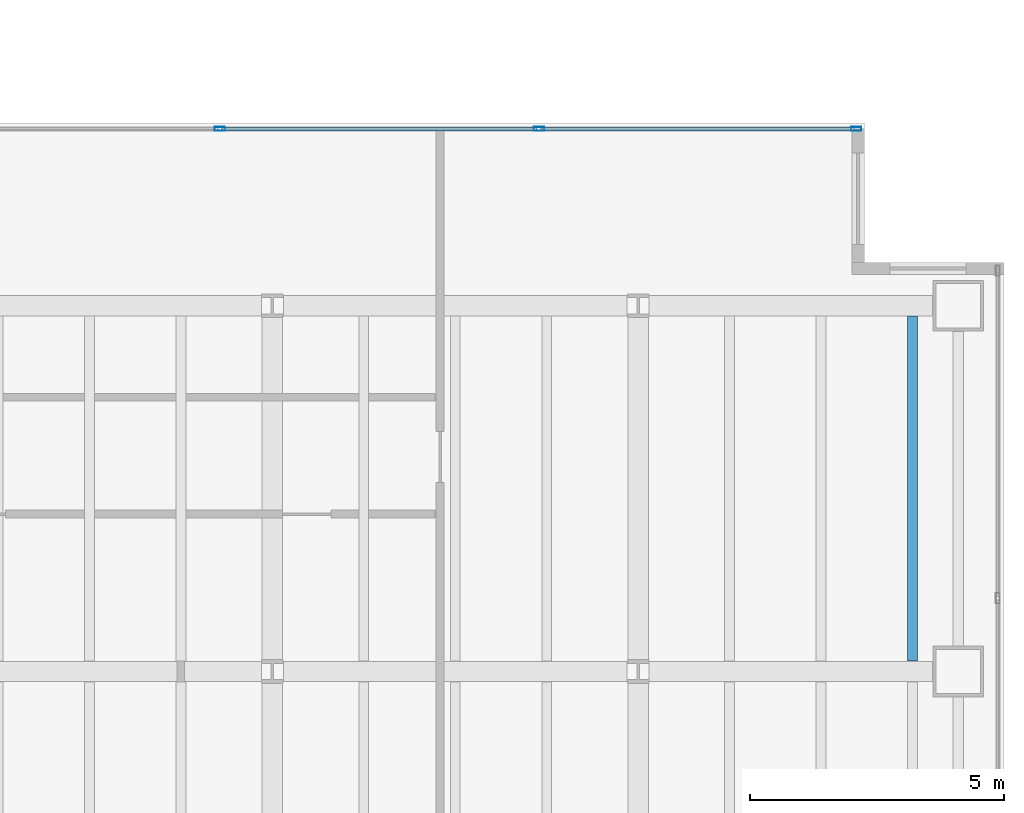
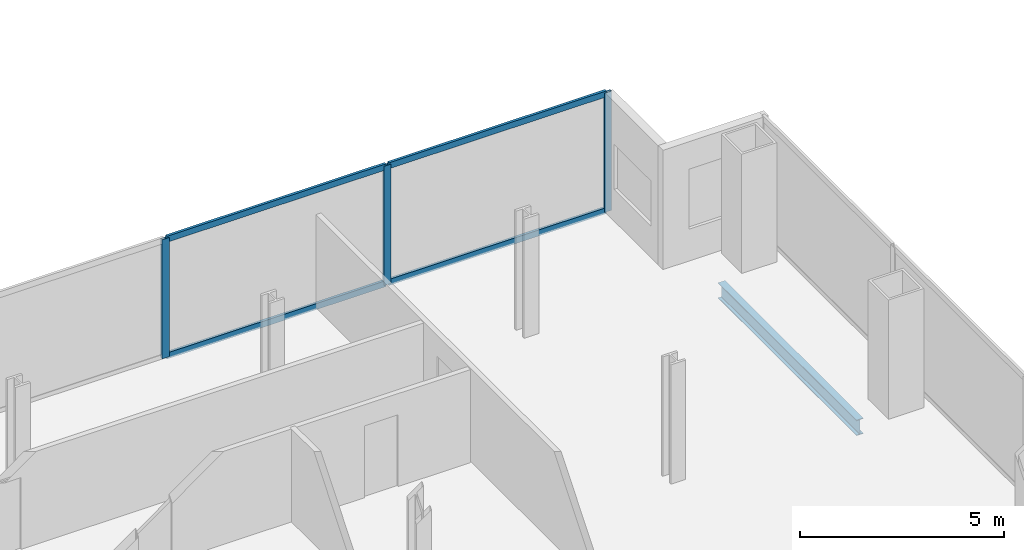
# One storey, part 12 of 23: 7 members, 1 beam, 1 element without a shape of its own.
"""IFC4 building model written with IfcOpenShell, lengths in metres."""

from ifc_helpers import new_model, si_unit, direction, frame, origin, origin_2d, place, context, subcontext, project, spatial, hollow_rectangle, i_section, extrude, material, material_profile, profile_set, type_object, element, aggregate, save


model = new_model("IFC4")

# Units and contexts
model_context = context("Model", 3, precision=1e-05, world=origin(), true_north=direction((0.0, 1.0)))
body_context = subcontext(model_context, "Body", "Model", "MODEL_VIEW")
ifc_project = project(units=[si_unit("LENGTHUNIT", "METRE"), si_unit("AREAUNIT", "SQUARE_METRE"), si_unit("VOLUMEUNIT", "CUBIC_METRE"), si_unit("PLANEANGLEUNIT", "RADIAN"), si_unit("MASSUNIT", "GRAM", prefix="KILO")], contexts=[model_context])

# Site, building, storey
site_placement = place(None, origin())
site = spatial("IfcSite", under=ifc_project, at=site_placement, CompositionType="ELEMENT")
building_placement = place(site_placement, origin())
building = spatial("IfcBuilding", under=site, at=building_placement, Name="Cobrela Telecom Tower", CompositionType="ELEMENT")
storey_placement = place(building_placement, frame((0.0, 0.0, 73.5)))
storey = spatial("IfcBuildingStorey", under=building, at=storey_placement, Name="L18", CompositionType="ELEMENT", Elevation=73.5)

# Beam
ifc_material_1 = material(Name="Steel ASTM A992 Grade 50", Category="steel")
ifc_material_profile_1 = material_profile(ifc_material_1, i_section(OverallWidth=0.193115234375, OverallDepth=0.467041015625, WebThickness=0.011474609375, FlangeThickness=0.01904296875, FilletRadius=0.012939453125, at=origin_2d()), Name="W18X65")
ifc_profile_set_1 = profile_set([ifc_material_profile_1], Name="Steel ASTM A992 Grade 50")
beam_type = type_object("IfcBeamType", Name="BM-JOIST-03", PredefinedType="JOIST", material=ifc_profile_set_1)
beam_placement = place(storey_placement, frame((48.60009765625, 14.6044921875, -0.513427734375), z_axis=(0.0, 1.0, 0.0), x_axis=(-1.0, 0.0, 0.0)))
element("IfcBeam", 1, at=beam_placement, inside=storey, type_object=beam_type, Name="L18 Secondary Composite Floor Beam J64", PredefinedType="JOIST", context=body_context, shape_type="SweptSolid", body=[
    extrude(i_section(OverallWidth=0.193115234375, OverallDepth=0.467041015625, WebThickness=0.011474609375, FlangeThickness=0.01904296875, FilletRadius=0.012939453125, at=origin_2d()), origin(), (0.0, 0.0, 1.0), 6.791015625),
])

# Curtain wall, members
ifc_material_2 = material(Name="Anodized Bronze Aluminium 6063-T6", Category="aluminium")
curtain_wall_type = type_object("IfcCurtainWallType", Name="CW-SYS-DATA", PredefinedType="USERDEFINED", material=ifc_material_2)
curtain_wall_placement = place(storey_placement, origin())
curtain_wall = element("IfcCurtainWall", 2, at=curtain_wall_placement, inside=storey, type_object=curtain_wall_type, Name="L18 Unitised Bronze Curtain Wall 11", ObjectType="UNITISED CURTAIN WALL", PredefinedType="USERDEFINED")
ifc_material_profile_2 = material_profile(ifc_material_2, hollow_rectangle(XDim=0.080078125, YDim=0.199951171875, WallThickness=0.00390625, at=origin_2d()), Name="ALU 80x200x4")
ifc_profile_set_2 = profile_set([ifc_material_profile_2], Name="Anodized Bronze Aluminium 6063-T6")
member_type_1 = type_object("IfcMemberType", Name="CW-SYS-DATA-MUL", PredefinedType="MULLION", material=ifc_profile_set_2)
member_1_placement = place(storey_placement, frame((34.96337890625, 25.080078125, 0.0), z_axis=(0.0, 0.0, 1.0), x_axis=(0.0, 1.0, 0.0)))
member_1 = element("IfcMember", 3, at=member_1_placement, type_object=member_type_1, Name="CW-DATA mullion 2", PredefinedType="MULLION", context=body_context, shape_type="SweptSolid", body=[
    extrude(hollow_rectangle(XDim=0.080078125, YDim=0.199951171875, WallThickness=0.00390625, at=origin_2d()), origin(), (0.0, 0.0, 1.0), 3.570068359375),
])
member_2_placement = place(storey_placement, frame((41.24658203125, 25.080078125, 0.0), z_axis=(0.0, 0.0, 1.0), x_axis=(0.0, 1.0, 0.0)))
member_2 = element("IfcMember", 4, at=member_2_placement, type_object=member_type_1, Name="CW-DATA mullion 3", PredefinedType="MULLION", context=body_context, shape_type="SweptSolid", body=[
    extrude(hollow_rectangle(XDim=0.080078125, YDim=0.199951171875, WallThickness=0.00390625, at=origin_2d()), origin(), (0.0, 0.0, 1.0), 3.570068359375),
])
member_3_placement = place(storey_placement, frame((47.489990234375, 25.080078125, 0.0), z_axis=(0.0, 0.0, 1.0), x_axis=(0.0, 1.0, 0.0)))
member_3 = element("IfcMember", 5, at=member_3_placement, type_object=member_type_1, Name="CW-DATA mullion 4", PredefinedType="MULLION", context=body_context, shape_type="SweptSolid", body=[
    extrude(hollow_rectangle(XDim=0.080078125, YDim=0.199951171875, WallThickness=0.00390625, at=origin_2d()), origin(), (0.0, 0.0, 1.0), 3.570068359375),
])
ifc_material_profile_3 = material_profile(ifc_material_2, hollow_rectangle(XDim=0.074951171875, YDim=0.179931640625, WallThickness=0.00390625, at=origin_2d()), Name="ALU 75x180x4")
ifc_profile_set_3 = profile_set([ifc_material_profile_3], Name="Anodized Bronze Aluminium 6063-T6")
member_type_2 = type_object("IfcMemberType", Name="CW-SYS-DATA-TRN", PredefinedType="USERDEFINED", material=ifc_profile_set_3)
member_4_placement = place(storey_placement, frame((35.00341796875, 25.080078125, 0.03759765625), z_axis=(1.0, 0.0, 0.0), x_axis=(0.0, 1.0, 0.0)))
member_4 = element("IfcMember", 6, at=member_4_placement, type_object=member_type_2, Name="CW-DATA transom 2.1", ObjectType="TRANSOM", PredefinedType="USERDEFINED", context=body_context, shape_type="SweptSolid", body=[
    extrude(hollow_rectangle(XDim=0.074951171875, YDim=0.179931640625, WallThickness=0.00390625, at=origin_2d()), origin(), (0.0, 0.0, 1.0), 6.203369140625),
])
member_5_placement = place(storey_placement, frame((35.00341796875, 25.080078125, 3.532470703125), z_axis=(1.0, 0.0, 0.0), x_axis=(0.0, 1.0, 0.0)))
member_5 = element("IfcMember", 7, at=member_5_placement, type_object=member_type_2, Name="CW-DATA transom 2.2", ObjectType="TRANSOM", PredefinedType="USERDEFINED", context=body_context, shape_type="SweptSolid", body=[
    extrude(hollow_rectangle(XDim=0.074951171875, YDim=0.179931640625, WallThickness=0.00390625, at=origin_2d()), origin(), (0.0, 0.0, 1.0), 6.203369140625),
])
member_6_placement = place(storey_placement, frame((41.28662109375, 25.080078125, 0.03759765625), z_axis=(1.0, 0.0, 0.0), x_axis=(0.0, 1.0, 0.0)))
member_6 = element("IfcMember", 8, at=member_6_placement, type_object=member_type_2, Name="CW-DATA transom 3.1", ObjectType="TRANSOM", PredefinedType="USERDEFINED", context=body_context, shape_type="SweptSolid", body=[
    extrude(hollow_rectangle(XDim=0.074951171875, YDim=0.179931640625, WallThickness=0.00390625, at=origin_2d()), origin(), (0.0, 0.0, 1.0), 6.163330078125),
])
member_7_placement = place(storey_placement, frame((41.28662109375, 25.080078125, 3.532470703125), z_axis=(1.0, 0.0, 0.0), x_axis=(0.0, 1.0, 0.0)))
member_7 = element("IfcMember", 9, at=member_7_placement, type_object=member_type_2, Name="CW-DATA transom 3.2", ObjectType="TRANSOM", PredefinedType="USERDEFINED", context=body_context, shape_type="SweptSolid", body=[
    extrude(hollow_rectangle(XDim=0.074951171875, YDim=0.179931640625, WallThickness=0.00390625, at=origin_2d()), origin(), (0.0, 0.0, 1.0), 6.163330078125),
])
aggregate(curtain_wall, [member_1, member_2, member_3, member_4, member_5, member_6, member_7])

save(model, "model.ifc")
